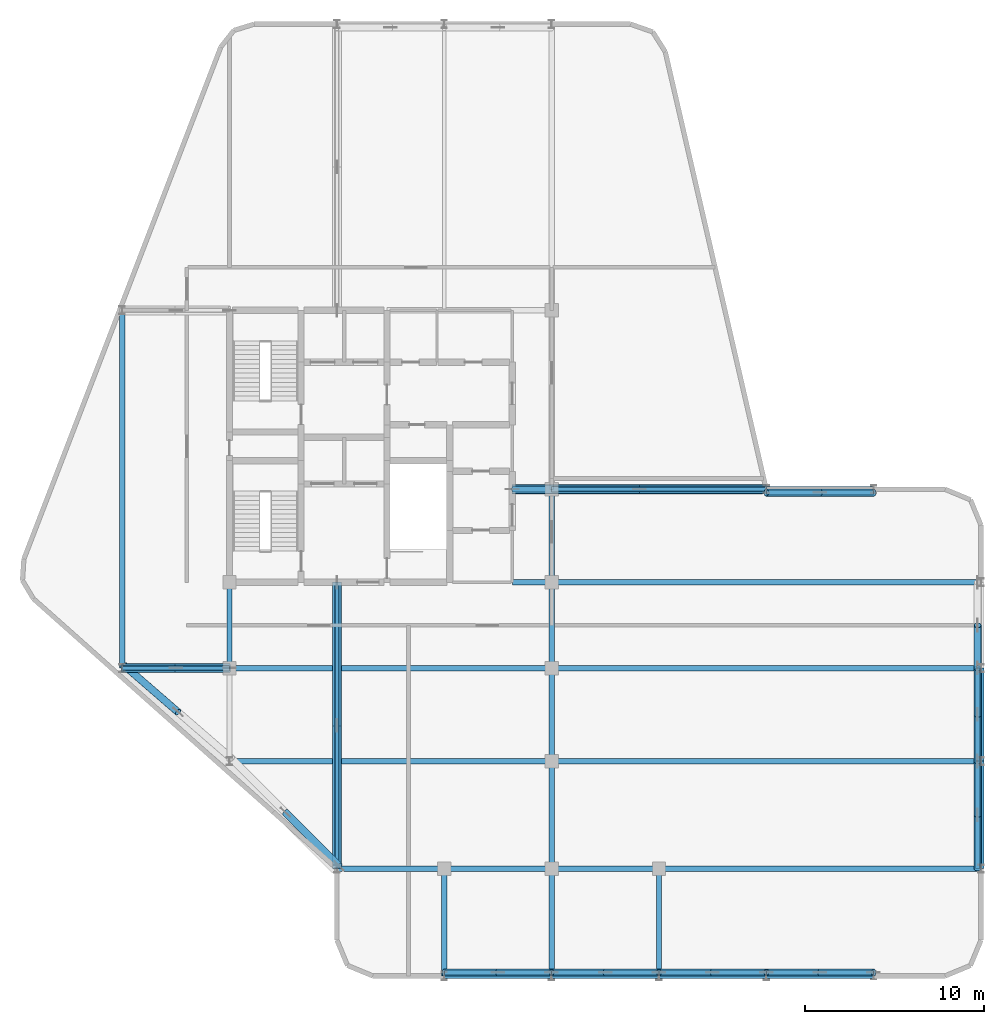
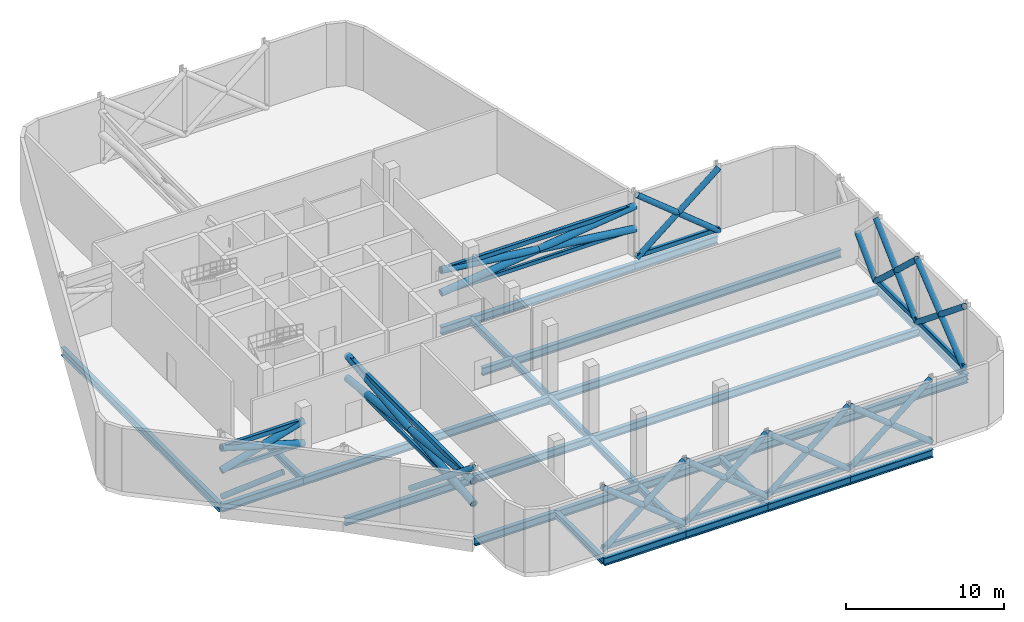
# One storey, part 4 of 12: 46 members, 29 beams.
"""IFC4 building model written with IfcOpenShell, lengths in metres."""

from ifc_helpers import new_model, si_unit, direction, frame, origin, origin_2d, place, context, subcontext, project, spatial, hollow_rectangle, hollow_circle, i_section, extrude, material, material_profile, profile_set, type_object, element, save


model = new_model("IFC4")

# Units and contexts
model_context = context("Model", 3, precision=1e-05, world=origin(), true_north=direction((0.0, 1.0)))
body_context = subcontext(model_context, "Body", "Model", "MODEL_VIEW")
ifc_project = project(units=[si_unit("LENGTHUNIT", "METRE"), si_unit("AREAUNIT", "SQUARE_METRE"), si_unit("VOLUMEUNIT", "CUBIC_METRE"), si_unit("PLANEANGLEUNIT", "RADIAN"), si_unit("MASSUNIT", "GRAM", prefix="KILO")], contexts=[model_context])

# Site, building, storey
site_placement = place(None, origin())
site = spatial("IfcSite", under=ifc_project, at=site_placement, CompositionType="ELEMENT")
building_placement = place(site_placement, origin())
building = spatial("IfcBuilding", under=site, at=building_placement, Name="Keshet Zoharim Tower", CompositionType="ELEMENT")
storey_placement = place(building_placement, frame((0.0, 0.0, 237.60009765625)))
storey = spatial("IfcBuildingStorey", under=building, at=storey_placement, Name="L59", CompositionType="ELEMENT", Elevation=237.60009765625)

# Beams
ifc_material = material(Name="Steel S355", Category="steel")
ifc_material_profile_1 = material_profile(ifc_material, i_section(OverallWidth=0.300048828125, OverallDepth=0.60009765625, WebThickness=0.015380859375, FlangeThickness=0.030029296875, FilletRadius=0.027099609375, at=origin_2d()), Name="HEB600")
ifc_profile_set_1 = profile_set([ifc_material_profile_1], Name="Steel S355")
beam_type_1 = type_object("IfcBeamType", Name="BM-CLK-HB600", PredefinedType="BEAM", material=ifc_profile_set_1)
for number, where, z_axis, x_axis, name in (
    (1, (30.800048828125, 22.699951171875, -0.72021484375), (1.0, 0.0, 0.0), (0.0, 1.0, 0.0), "L59 Core Wall Link Girder 01"),
    (2, (30.800048828125, 27.89990234375, -0.72021484375), (1.0, 0.0, 0.0), (0.0, 1.0, 0.0), "L59 Core Wall Link Girder 02"),
):
    element("IfcBeam", number, at=place(storey_placement, frame(where, z_axis=z_axis, x_axis=x_axis)), inside=storey, type_object=beam_type_1, Name=name, PredefinedType="BEAM", context=body_context, shape_type="SweptSolid", body=[
        extrude(i_section(OverallWidth=0.300048828125, OverallDepth=0.60009765625, WebThickness=0.015380859375, FlangeThickness=0.030029296875, FilletRadius=0.027099609375, at=origin_2d()), origin(), (0.0, 0.0, 1.0), 2.199951171875),
    ])
ifc_material_profile_2 = material_profile(ifc_material, i_section(OverallWidth=0.300048828125, OverallDepth=0.60009765625, WebThickness=0.015380859375, FlangeThickness=0.030029296875, FilletRadius=0.027099609375, at=origin_2d()), Name="HEB600")
ifc_profile_set_2 = profile_set([ifc_material_profile_2], Name="Steel S355")
beam_type_2 = type_object("IfcBeamType", Name="BM-LNG-HB600", PredefinedType="BEAM", material=ifc_profile_set_2)
for number, where, z_axis, x_axis, name in (
    (3, (39.0, 6.699951171875, -0.72021484375), (1.0, 0.0, 0.0), (0.0, 1.0, 0.0), "L59 Primary Girder X-008"),
    (4, (15.0, 12.699951171875, -0.72021484375), (1.0, 0.0, 0.0), (0.0, 1.0, 0.0), "L59 Primary Girder X-009"),
):
    element("IfcBeam", number, at=place(storey_placement, frame(where, z_axis=z_axis, x_axis=x_axis)), inside=storey, type_object=beam_type_2, Name=name, PredefinedType="BEAM", context=body_context, shape_type="SweptSolid", body=[
        extrude(i_section(OverallWidth=0.300048828125, OverallDepth=0.60009765625, WebThickness=0.015380859375, FlangeThickness=0.030029296875, FilletRadius=0.027099609375, at=origin_2d()), origin(), (0.0, 0.0, 1.0), 18.0),
    ])
beam_1_placement = place(storey_placement, frame((33.0, 12.699951171875, -0.72021484375), z_axis=(1.0, 0.0, 0.0), x_axis=(0.0, 1.0, 0.0)))
element("IfcBeam", 5, at=beam_1_placement, inside=storey, type_object=beam_type_2, Name="L59 Primary Girder X-010", PredefinedType="BEAM", context=body_context, shape_type="SweptSolid", body=[
    extrude(i_section(OverallWidth=0.300048828125, OverallDepth=0.60009765625, WebThickness=0.015380859375, FlangeThickness=0.030029296875, FilletRadius=0.027099609375, at=origin_2d()), origin(), (0.0, 0.0, 1.0), 24.0),
])
beam_2_placement = place(storey_placement, frame((15.0, 17.89990234375, -0.72021484375), z_axis=(1.0, 0.0, 0.0), x_axis=(0.0, 1.0, 0.0)))
element("IfcBeam", 6, at=beam_2_placement, inside=storey, type_object=beam_type_2, Name="L59 Primary Girder X-012", PredefinedType="BEAM", context=body_context, shape_type="SweptSolid", body=[
    extrude(i_section(OverallWidth=0.300048828125, OverallDepth=0.60009765625, WebThickness=0.015380859375, FlangeThickness=0.030029296875, FilletRadius=0.027099609375, at=origin_2d()), origin(), (0.0, 0.0, 1.0), 18.0),
])
for number, where, z_axis, x_axis, name in (
    (7, (33.0, 17.89990234375, -0.72021484375), (1.0, 0.0, 0.0), (0.0, 1.0, 0.0), "L59 Primary Girder X-013"),
    (8, (33.0, 22.699951171875, -0.72021484375), (1.0, 0.0, 0.0), (0.0, 1.0, 0.0), "L59 Primary Girder X-014"),
):
    element("IfcBeam", number, at=place(storey_placement, frame(where, z_axis=z_axis, x_axis=x_axis)), inside=storey, type_object=beam_type_2, Name=name, PredefinedType="BEAM", context=body_context, shape_type="SweptSolid", body=[
        extrude(i_section(OverallWidth=0.300048828125, OverallDepth=0.60009765625, WebThickness=0.015380859375, FlangeThickness=0.030029296875, FilletRadius=0.027099609375, at=origin_2d()), origin(), (0.0, 0.0, 1.0), 24.0),
    ])
beam_3_placement = place(storey_placement, frame((9.0, 17.89990234375, -0.72021484375), z_axis=(0.0, 1.0, 0.0), x_axis=(-1.0, 0.0, 0.0)))
element("IfcBeam", 9, at=beam_3_placement, inside=storey, type_object=beam_type_2, Name="L59 Primary Girder Y-001", PredefinedType="BEAM", context=body_context, shape_type="SweptSolid", body=[
    extrude(i_section(OverallWidth=0.300048828125, OverallDepth=0.60009765625, WebThickness=0.015380859375, FlangeThickness=0.030029296875, FilletRadius=0.027099609375, at=origin_2d()), origin(), (0.0, 0.0, 1.0), 20.0),
])
ifc_material_profile_3 = material_profile(ifc_material, i_section(OverallWidth=0.300048828125, OverallDepth=0.60009765625, WebThickness=0.015380859375, FlangeThickness=0.030029296875, FilletRadius=0.027099609375, at=origin_2d()), Name="HEB600")
ifc_profile_set_3 = profile_set([ifc_material_profile_3], Name="Steel S355")
beam_type_3 = type_object("IfcBeamType", Name="BM-MED-HB600", PredefinedType="BEAM", material=ifc_profile_set_3)
beam_4_placement = place(storey_placement, frame((33.0, 27.89990234375, -0.72021484375), z_axis=(1.0, 0.0, 0.0), x_axis=(0.0, 1.0, 0.0)))
element("IfcBeam", 10, at=beam_4_placement, inside=storey, type_object=beam_type_3, Name="L59 Primary Girder X-015", PredefinedType="BEAM", context=body_context, shape_type="SweptSolid", body=[
    extrude(i_section(OverallWidth=0.300048828125, OverallDepth=0.60009765625, WebThickness=0.015380859375, FlangeThickness=0.030029296875, FilletRadius=0.027099609375, at=origin_2d()), origin(), (0.0, 0.0, 1.0), 12.0),
])
ifc_material_profile_4 = material_profile(ifc_material, i_section(OverallWidth=0.300048828125, OverallDepth=0.5, WebThickness=0.014404296875, FlangeThickness=0.028076171875, FilletRadius=0.027099609375, at=origin_2d()), Name="HEB500")
ifc_profile_set_4 = profile_set([ifc_material_profile_4], Name="Steel S355")
beam_type_4 = type_object("IfcBeamType", Name="BM-WEB-HB500", PredefinedType="BEAM", material=ifc_profile_set_4)
beam_5_placement = place(storey_placement, frame((15.0, 17.89990234375, -0.670166015625), z_axis=(0.0, 1.0, 0.0), x_axis=(-1.0, 0.0, 0.0)))
element("IfcBeam", 11, at=beam_5_placement, inside=storey, type_object=beam_type_4, Name="L59 Primary Girder Y-003", PredefinedType="BEAM", context=body_context, shape_type="SweptSolid", body=[
    extrude(i_section(OverallWidth=0.300048828125, OverallDepth=0.5, WebThickness=0.014404296875, FlangeThickness=0.028076171875, FilletRadius=0.027099609375, at=origin_2d()), origin(), (0.0, 0.0, 1.0), 4.800048828125),
])
for number, where, z_axis, x_axis, name in (
    (12, (27.0, 0.699951171875, -0.670166015625), (0.0, 1.0, 0.0), (-1.0, 0.0, 0.0), "L59 Primary Girder Y-004"),
    (13, (33.0, 0.699951171875, -0.670166015625), (0.0, 1.0, 0.0), (-1.0, 0.0, 0.0), "L59 Primary Girder Y-005"),
    (14, (33.0, 6.699951171875, -0.670166015625), (0.0, 1.0, 0.0), (-1.0, 0.0, 0.0), "L59 Primary Girder Y-006"),
):
    element("IfcBeam", number, at=place(storey_placement, frame(where, z_axis=z_axis, x_axis=x_axis)), inside=storey, type_object=beam_type_4, Name=name, PredefinedType="BEAM", context=body_context, shape_type="SweptSolid", body=[
        extrude(i_section(OverallWidth=0.300048828125, OverallDepth=0.5, WebThickness=0.014404296875, FlangeThickness=0.028076171875, FilletRadius=0.027099609375, at=origin_2d()), origin(), (0.0, 0.0, 1.0), 6.0),
    ])
beam_6_placement = place(storey_placement, frame((33.0, 12.699951171875, -0.670166015625), z_axis=(0.0, 1.0, 0.0), x_axis=(-1.0, 0.0, 0.0)))
element("IfcBeam", 15, at=beam_6_placement, inside=storey, type_object=beam_type_4, Name="L59 Primary Girder Y-007", PredefinedType="BEAM", context=body_context, shape_type="SweptSolid", body=[
    extrude(i_section(OverallWidth=0.300048828125, OverallDepth=0.5, WebThickness=0.014404296875, FlangeThickness=0.028076171875, FilletRadius=0.027099609375, at=origin_2d()), origin(), (0.0, 0.0, 1.0), 5.199951171875),
])
beam_7_placement = place(storey_placement, frame((33.0, 17.89990234375, -0.670166015625), z_axis=(0.0, 1.0, 0.0), x_axis=(-1.0, 0.0, 0.0)))
element("IfcBeam", 16, at=beam_7_placement, inside=storey, type_object=beam_type_4, Name="L59 Primary Girder Y-008", PredefinedType="BEAM", context=body_context, shape_type="SweptSolid", body=[
    extrude(i_section(OverallWidth=0.300048828125, OverallDepth=0.5, WebThickness=0.014404296875, FlangeThickness=0.028076171875, FilletRadius=0.027099609375, at=origin_2d()), origin(), (0.0, 0.0, 1.0), 4.800048828125),
])
beam_8_placement = place(storey_placement, frame((33.0, 22.699951171875, -0.670166015625), z_axis=(0.0, 1.0, 0.0), x_axis=(-1.0, 0.0, 0.0)))
element("IfcBeam", 17, at=beam_8_placement, inside=storey, type_object=beam_type_4, Name="L59 Primary Girder Y-009", PredefinedType="BEAM", context=body_context, shape_type="SweptSolid", body=[
    extrude(i_section(OverallWidth=0.300048828125, OverallDepth=0.5, WebThickness=0.014404296875, FlangeThickness=0.028076171875, FilletRadius=0.027099609375, at=origin_2d()), origin(), (0.0, 0.0, 1.0), 5.199951171875),
])
for number, where, z_axis, x_axis, name in (
    (18, (39.0, 0.699951171875, -0.670166015625), (0.0, 1.0, 0.0), (-1.0, 0.0, 0.0), "L59 Primary Girder Y-012"),
    (19, (57.0, 6.699951171875, -0.670166015625), (0.0, 1.0, 0.0), (-1.0, 0.0, 0.0), "L59 Primary Girder Y-013"),
):
    element("IfcBeam", number, at=place(storey_placement, frame(where, z_axis=z_axis, x_axis=x_axis)), inside=storey, type_object=beam_type_4, Name=name, PredefinedType="BEAM", context=body_context, shape_type="SweptSolid", body=[
        extrude(i_section(OverallWidth=0.300048828125, OverallDepth=0.5, WebThickness=0.014404296875, FlangeThickness=0.028076171875, FilletRadius=0.027099609375, at=origin_2d()), origin(), (0.0, 0.0, 1.0), 6.0),
    ])
beam_9_placement = place(storey_placement, frame((57.0, 12.699951171875, -0.670166015625), z_axis=(0.0, 1.0, 0.0), x_axis=(-1.0, 0.0, 0.0)))
element("IfcBeam", 20, at=beam_9_placement, inside=storey, type_object=beam_type_4, Name="L59 Primary Girder Y-014", PredefinedType="BEAM", context=body_context, shape_type="SweptSolid", body=[
    extrude(i_section(OverallWidth=0.300048828125, OverallDepth=0.5, WebThickness=0.014404296875, FlangeThickness=0.028076171875, FilletRadius=0.027099609375, at=origin_2d()), origin(), (0.0, 0.0, 1.0), 5.199951171875),
])
ifc_material_profile_5 = material_profile(ifc_material, i_section(OverallWidth=0.300048828125, OverallDepth=0.60009765625, WebThickness=0.015380859375, FlangeThickness=0.030029296875, FilletRadius=0.027099609375, at=origin_2d()), Name="HEB600")
ifc_profile_set_5 = profile_set([ifc_material_profile_5], Name="Steel S355")
beam_type_5 = type_object("IfcBeamType", Name="BM-WEB-HB600", PredefinedType="BEAM", material=ifc_profile_set_5)
for number, where, z_axis, x_axis, name in (
    (21, (27.0, 0.699951171875, -0.72021484375), (1.0, 0.0, 0.0), (0.0, 1.0, 0.0), "L59 Primary Girder X-001"),
    (22, (33.0, 0.699951171875, -0.72021484375), (1.0, 0.0, 0.0), (0.0, 1.0, 0.0), "L59 Primary Girder X-002"),
    (23, (39.0, 0.699951171875, -0.72021484375), (1.0, 0.0, 0.0), (0.0, 1.0, 0.0), "L59 Primary Girder X-003"),
    (24, (45.0, 0.699951171875, -0.72021484375), (1.0, 0.0, 0.0), (0.0, 1.0, 0.0), "L59 Primary Girder X-004"),
    (25, (21.0, 6.699951171875, -0.72021484375), (1.0, 0.0, 0.0), (0.0, 1.0, 0.0), "L59 Primary Girder X-005"),
    (26, (27.0, 6.699951171875, -0.72021484375), (1.0, 0.0, 0.0), (0.0, 1.0, 0.0), "L59 Primary Girder X-006"),
    (27, (33.0, 6.699951171875, -0.72021484375), (1.0, 0.0, 0.0), (0.0, 1.0, 0.0), "L59 Primary Girder X-007"),
    (28, (9.0, 17.89990234375, -0.72021484375), (1.0, 0.0, 0.0), (0.0, 1.0, 0.0), "L59 Primary Girder X-011"),
    (29, (45.0, 27.89990234375, -0.72021484375), (1.0, 0.0, 0.0), (0.0, 1.0, 0.0), "L59 Primary Girder X-016"),
):
    element("IfcBeam", number, at=place(storey_placement, frame(where, z_axis=z_axis, x_axis=x_axis)), inside=storey, type_object=beam_type_5, Name=name, PredefinedType="BEAM", context=body_context, shape_type="SweptSolid", body=[
        extrude(i_section(OverallWidth=0.300048828125, OverallDepth=0.60009765625, WebThickness=0.015380859375, FlangeThickness=0.030029296875, FilletRadius=0.027099609375, at=origin_2d()), origin(), (0.0, 0.0, 1.0), 6.0),
    ])

# Members
ifc_material_profile_6 = material_profile(ifc_material, hollow_circle(Radius=0.203125, WallThickness=0.01611328125, at=origin_2d()), Name="CHS406x16")
ifc_profile_set_6 = profile_set([ifc_material_profile_6], Name="Steel S355")
member_type_1 = type_object("IfcMemberType", Name="MB-BELT-C406", PredefinedType="BRACE", material=ifc_profile_set_6)
member_1_placement = place(storey_placement, frame((56.81005859375, 17.89990234375, 0.0), z_axis=(0.0, 0.701269287632, 0.712896476513), x_axis=(-1.0, 0.0, 0.0)))
element("IfcMember", 30, at=member_1_placement, inside=storey, type_object=member_type_1, Name="L59 Perimeter Belt Truss Split Diagonal B1-01", PredefinedType="BRACE", context=body_context, shape_type="SweptSolid", body=[
    extrude(hollow_circle(Radius=0.203125, WallThickness=0.01611328125, at=origin_2d()), origin(), (0.0, 0.0, 1.0), 3.422607421875),
])
member_2_placement = place(storey_placement, frame((56.81005859375, 17.89990234375, 0.0), z_axis=(0.0, -0.729192260364, 0.684308883053), x_axis=(1.0, 0.0, 0.0)))
element("IfcMember", 31, at=member_2_placement, inside=storey, type_object=member_type_1, Name="L59 Perimeter Belt Truss Continuous Diagonal A02", PredefinedType="BRACE", context=body_context, shape_type="SweptSolid", body=[
    extrude(hollow_circle(Radius=0.203125, WallThickness=0.01611328125, at=origin_2d()), origin(), (0.0, 0.0, 1.0), 7.131103515625),
])
member_3_placement = place(storey_placement, frame((56.81005859375, 12.699951171875, 0.0), z_axis=(0.0, 0.729208291745, 0.684291799784), x_axis=(-1.0, 0.0, 0.0)))
element("IfcMember", 32, at=member_3_placement, inside=storey, type_object=member_type_1, Name="L59 Perimeter Belt Truss Split Diagonal B1-02", PredefinedType="BRACE", context=body_context, shape_type="SweptSolid", body=[
    extrude(hollow_circle(Radius=0.203125, WallThickness=0.01611328125, at=origin_2d()), origin(), (0.0, 0.0, 1.0), 3.565673828125),
])
member_4_placement = place(storey_placement, frame((56.81005859375, 15.300048828125, 2.43994140625), z_axis=(0.0, 0.729176227782, 0.6843259668), x_axis=(-1.0, 0.0, 0.0)))
element("IfcMember", 33, at=member_4_placement, inside=storey, type_object=member_type_1, Name="L59 Perimeter Belt Truss Split Diagonal B2-02", PredefinedType="BRACE", context=body_context, shape_type="SweptSolid", body=[
    extrude(hollow_circle(Radius=0.203125, WallThickness=0.01611328125, at=origin_2d()), origin(), (0.0, 0.0, 1.0), 3.5654296875),
])
member_5_placement = place(storey_placement, frame((56.81005859375, 12.699951171875, 0.0), z_axis=(0.0, -0.775804916015, 0.630972845919), x_axis=(1.0, 0.0, 0.0)))
element("IfcMember", 34, at=member_5_placement, inside=storey, type_object=member_type_1, Name="L59 Perimeter Belt Truss Continuous Diagonal A03", PredefinedType="BRACE", context=body_context, shape_type="SweptSolid", body=[
    extrude(hollow_circle(Radius=0.203125, WallThickness=0.01611328125, at=origin_2d()), origin(), (0.0, 0.0, 1.0), 7.73388671875),
])
for number, where, z_axis, x_axis, name in (
    (35, (56.81005859375, 6.699951171875, 0.0), (0.0, 0.775804916015, 0.630972845919), (-1.0, 0.0, 0.0), "L59 Perimeter Belt Truss Split Diagonal B1-03"),
    (36, (56.81005859375, 9.699951171875, 2.43994140625), (0.0, 0.775804916015, 0.630972845919), (-1.0, 0.0, 0.0), "L59 Perimeter Belt Truss Split Diagonal B2-03"),
):
    element("IfcMember", number, at=place(storey_placement, frame(where, z_axis=z_axis, x_axis=x_axis)), inside=storey, type_object=member_type_1, Name=name, PredefinedType="BRACE", context=body_context, shape_type="SweptSolid", body=[
        extrude(hollow_circle(Radius=0.203125, WallThickness=0.01611328125, at=origin_2d()), origin(), (0.0, 0.0, 1.0), 3.866943359375),
    ])
member_6_placement = place(storey_placement, frame((51.0, 0.889892578125, 0.0), z_axis=(-0.775804916015, 0.0, 0.630972845919), x_axis=(0.0, -1.0, 0.0)))
element("IfcMember", 37, at=member_6_placement, inside=storey, type_object=member_type_1, Name="L59 Perimeter Belt Truss Continuous Diagonal A04", PredefinedType="BRACE", context=body_context, shape_type="SweptSolid", body=[
    extrude(hollow_circle(Radius=0.203125, WallThickness=0.01611328125, at=origin_2d()), origin(), (0.0, 0.0, 1.0), 7.73388671875),
])
for number, where, z_axis, x_axis, name in (
    (38, (45.0, 0.889892578125, 0.0), (0.775804916015, 0.0, 0.630972845919), (0.0, 1.0, 0.0), "L59 Perimeter Belt Truss Split Diagonal B1-04"),
    (39, (48.0, 0.889892578125, 2.43994140625), (0.775804916015, 0.0, 0.630972845919), (0.0, 1.0, 0.0), "L59 Perimeter Belt Truss Split Diagonal B2-04"),
):
    element("IfcMember", number, at=place(storey_placement, frame(where, z_axis=z_axis, x_axis=x_axis)), inside=storey, type_object=member_type_1, Name=name, PredefinedType="BRACE", context=body_context, shape_type="SweptSolid", body=[
        extrude(hollow_circle(Radius=0.203125, WallThickness=0.01611328125, at=origin_2d()), origin(), (0.0, 0.0, 1.0), 3.866943359375),
    ])
member_7_placement = place(storey_placement, frame((45.0, 0.889892578125, 0.0), z_axis=(-0.775804916015, 0.0, 0.630972845919), x_axis=(0.0, -1.0, 0.0)))
element("IfcMember", 40, at=member_7_placement, inside=storey, type_object=member_type_1, Name="L59 Perimeter Belt Truss Continuous Diagonal A05", PredefinedType="BRACE", context=body_context, shape_type="SweptSolid", body=[
    extrude(hollow_circle(Radius=0.203125, WallThickness=0.01611328125, at=origin_2d()), origin(), (0.0, 0.0, 1.0), 7.73388671875),
])
for number, where, z_axis, x_axis, name in (
    (41, (39.0, 0.889892578125, 0.0), (0.775804916015, 0.0, 0.630972845919), (0.0, 1.0, 0.0), "L59 Perimeter Belt Truss Split Diagonal B1-05"),
    (42, (42.0, 0.889892578125, 2.43994140625), (0.775804916015, 0.0, 0.630972845919), (0.0, 1.0, 0.0), "L59 Perimeter Belt Truss Split Diagonal B2-05"),
):
    element("IfcMember", number, at=place(storey_placement, frame(where, z_axis=z_axis, x_axis=x_axis)), inside=storey, type_object=member_type_1, Name=name, PredefinedType="BRACE", context=body_context, shape_type="SweptSolid", body=[
        extrude(hollow_circle(Radius=0.203125, WallThickness=0.01611328125, at=origin_2d()), origin(), (0.0, 0.0, 1.0), 3.866943359375),
    ])
member_8_placement = place(storey_placement, frame((39.0, 0.889892578125, 0.0), z_axis=(-0.775804916015, 0.0, 0.630972845919), x_axis=(0.0, -1.0, 0.0)))
element("IfcMember", 43, at=member_8_placement, inside=storey, type_object=member_type_1, Name="L59 Perimeter Belt Truss Continuous Diagonal A06", PredefinedType="BRACE", context=body_context, shape_type="SweptSolid", body=[
    extrude(hollow_circle(Radius=0.203125, WallThickness=0.01611328125, at=origin_2d()), origin(), (0.0, 0.0, 1.0), 7.73388671875),
])
for number, where, z_axis, x_axis, name in (
    (44, (33.0, 0.889892578125, 0.0), (0.775804916015, 0.0, 0.630972845919), (0.0, 1.0, 0.0), "L59 Perimeter Belt Truss Split Diagonal B1-06"),
    (45, (36.0, 0.889892578125, 2.43994140625), (0.775804916015, 0.0, 0.630972845919), (0.0, 1.0, 0.0), "L59 Perimeter Belt Truss Split Diagonal B2-06"),
):
    element("IfcMember", number, at=place(storey_placement, frame(where, z_axis=z_axis, x_axis=x_axis)), inside=storey, type_object=member_type_1, Name=name, PredefinedType="BRACE", context=body_context, shape_type="SweptSolid", body=[
        extrude(hollow_circle(Radius=0.203125, WallThickness=0.01611328125, at=origin_2d()), origin(), (0.0, 0.0, 1.0), 3.866943359375),
    ])
member_9_placement = place(storey_placement, frame((33.0, 0.889892578125, 0.0), z_axis=(-0.775804916015, 0.0, 0.630972845919), x_axis=(0.0, -1.0, 0.0)))
element("IfcMember", 46, at=member_9_placement, inside=storey, type_object=member_type_1, Name="L59 Perimeter Belt Truss Continuous Diagonal A07", PredefinedType="BRACE", context=body_context, shape_type="SweptSolid", body=[
    extrude(hollow_circle(Radius=0.203125, WallThickness=0.01611328125, at=origin_2d()), origin(), (0.0, 0.0, 1.0), 7.73388671875),
])
for number, where, z_axis, x_axis, name in (
    (47, (27.0, 0.889892578125, 0.0), (0.775804916015, 0.0, 0.630972845919), (0.0, 1.0, 0.0), "L59 Perimeter Belt Truss Split Diagonal B1-07"),
    (48, (30.0, 0.889892578125, 2.43994140625), (0.775804916015, 0.0, 0.630972845919), (0.0, 1.0, 0.0), "L59 Perimeter Belt Truss Split Diagonal B2-07"),
):
    element("IfcMember", number, at=place(storey_placement, frame(where, z_axis=z_axis, x_axis=x_axis)), inside=storey, type_object=member_type_1, Name=name, PredefinedType="BRACE", context=body_context, shape_type="SweptSolid", body=[
        extrude(hollow_circle(Radius=0.203125, WallThickness=0.01611328125, at=origin_2d()), origin(), (0.0, 0.0, 1.0), 3.866943359375),
    ])
member_10_placement = place(storey_placement, frame((18.1259765625, 9.842041015625, 2.43994140625), z_axis=(0.612968913959, -0.612968913959, 0.498536077971), x_axis=(0.707106781187, 0.707106781187, 0.0)))
element("IfcMember", 49, at=member_10_placement, inside=storey, type_object=member_type_1, Name="L59 Perimeter Belt Truss Split Diagonal B2-08", PredefinedType="BRACE", context=body_context, shape_type="SweptSolid", body=[
    extrude(hollow_circle(Radius=0.203125, WallThickness=0.01611328125, at=origin_2d()), origin(), (0.0, 0.0, 1.0), 4.894287109375),
])
member_11_placement = place(storey_placement, frame((9.1259765625, 18.0419921875, 0.0), z_axis=(0.64380318245, -0.557983715258, 0.523614014112), x_axis=(0.654944585876, 0.755676908098, 0.0)))
element("IfcMember", 50, at=member_11_placement, inside=storey, type_object=member_type_1, Name="L59 Perimeter Belt Truss Split Diagonal B1-09", PredefinedType="BRACE", context=body_context, shape_type="SweptSolid", body=[
    extrude(hollow_circle(Radius=0.203125, WallThickness=0.01611328125, at=origin_2d()), origin(), (0.0, 0.0, 1.0), 4.659912109375),
])
member_12_placement = place(storey_placement, frame((45.0, 27.7099609375, 0.0), z_axis=(0.775804916015, 0.0, 0.630972845919), x_axis=(0.0, 1.0, 0.0)))
element("IfcMember", 51, at=member_12_placement, inside=storey, type_object=member_type_1, Name="L59 Perimeter Belt Truss Continuous Diagonal A12", PredefinedType="BRACE", context=body_context, shape_type="SweptSolid", body=[
    extrude(hollow_circle(Radius=0.203125, WallThickness=0.01611328125, at=origin_2d()), origin(), (0.0, 0.0, 1.0), 7.73388671875),
])
for number, where, z_axis, x_axis, name in (
    (52, (51.0, 27.7099609375, 0.0), (-0.775804916015, 0.0, 0.630972845919), (0.0, -1.0, 0.0), "L59 Perimeter Belt Truss Split Diagonal B1-12"),
    (53, (48.0, 27.7099609375, 2.43994140625), (-0.775804916015, 0.0, 0.630972845919), (0.0, -1.0, 0.0), "L59 Perimeter Belt Truss Split Diagonal B2-12"),
):
    element("IfcMember", number, at=place(storey_placement, frame(where, z_axis=z_axis, x_axis=x_axis)), inside=storey, type_object=member_type_1, Name=name, PredefinedType="BRACE", context=body_context, shape_type="SweptSolid", body=[
        extrude(hollow_circle(Radius=0.203125, WallThickness=0.01611328125, at=origin_2d()), origin(), (0.0, 0.0, 1.0), 3.866943359375),
    ])
ifc_material_profile_7 = material_profile(ifc_material, hollow_rectangle(XDim=0.25, YDim=0.35009765625, WallThickness=0.01416015625, InnerFilletRadius=0.013916015625, OuterFilletRadius=0.02099609375, at=origin_2d()), Name="RHS350x250x14.2")
ifc_profile_set_7 = profile_set([ifc_material_profile_7], Name="Steel S355")
member_type_2 = type_object("IfcMemberType", Name="MB-CHD-R350", PredefinedType="CHORD", material=ifc_profile_set_7)
member_13_placement = place(storey_placement, frame((56.81005859375, 17.89990234375, 0.199951171875), z_axis=(0.0, -1.0, 0.0), x_axis=(1.0, 0.0, 0.0)))
element("IfcMember", 54, at=member_13_placement, inside=storey, type_object=member_type_2, Name="L59 Perimeter Belt Truss Chord B02", PredefinedType="CHORD", context=body_context, shape_type="SweptSolid", body=[
    extrude(hollow_rectangle(XDim=0.25, YDim=0.35009765625, WallThickness=0.01416015625, InnerFilletRadius=0.013916015625, OuterFilletRadius=0.02099609375, at=origin_2d()), origin(), (0.0, 0.0, 1.0), 5.199951171875),
])
for number, where, z_axis, x_axis, name in (
    (55, (56.81005859375, 12.699951171875, 0.199951171875), (0.0, -1.0, 0.0), (1.0, 0.0, 0.0), "L59 Perimeter Belt Truss Chord B03"),
    (56, (51.0, 0.889892578125, 0.199951171875), (-1.0, 0.0, 0.0), (0.0, -1.0, 0.0), "L59 Perimeter Belt Truss Chord B04"),
    (57, (45.0, 0.889892578125, 0.199951171875), (-1.0, 0.0, 0.0), (0.0, -1.0, 0.0), "L59 Perimeter Belt Truss Chord B05"),
    (58, (39.0, 0.889892578125, 0.199951171875), (-1.0, 0.0, 0.0), (0.0, -1.0, 0.0), "L59 Perimeter Belt Truss Chord B06"),
    (59, (33.0, 0.889892578125, 0.199951171875), (-1.0, 0.0, 0.0), (0.0, -1.0, 0.0), "L59 Perimeter Belt Truss Chord B07"),
    (60, (45.0, 27.7099609375, 0.199951171875), (1.0, 0.0, 0.0), (0.0, 1.0, 0.0), "L59 Perimeter Belt Truss Chord B12"),
):
    element("IfcMember", number, at=place(storey_placement, frame(where, z_axis=z_axis, x_axis=x_axis)), inside=storey, type_object=member_type_2, Name=name, PredefinedType="CHORD", context=body_context, shape_type="SweptSolid", body=[
        extrude(hollow_rectangle(XDim=0.25, YDim=0.35009765625, WallThickness=0.01416015625, InnerFilletRadius=0.013916015625, OuterFilletRadius=0.02099609375, at=origin_2d()), origin(), (0.0, 0.0, 1.0), 6.0),
    ])
ifc_material_profile_8 = material_profile(ifc_material, hollow_circle(Radius=0.25390625, WallThickness=0.02001953125, at=origin_2d()), Name="CHS508x20")
ifc_profile_set_8 = profile_set([ifc_material_profile_8], Name="Steel S355")
member_type_3 = type_object("IfcMemberType", Name="MB-OUTR-C508", PredefinedType="BRACE", material=ifc_profile_set_8)
member_14_placement = place(storey_placement, frame((15.0, 17.89990234375, 2.14990234375), z_axis=(-0.95913524504, 0.0, 0.282948019472), x_axis=(0.0, -1.0, 0.0)))
element("IfcMember", 61, at=member_14_placement, inside=storey, type_object=member_type_3, Name="L59 Core Outrigger Continuous Brace 1-W1", PredefinedType="BRACE", context=body_context, shape_type="SweptSolid", body=[
    extrude(hollow_circle(Radius=0.25390625, WallThickness=0.02001953125, at=origin_2d()), origin(), (0.0, 0.0, 1.0), 6.255615234375),
])
for number, where, z_axis, x_axis, name in (
    (62, (9.0, 17.89990234375, 2.14990234375), (0.95913524504, 0.0, 0.282948019472), (0.0, 1.0, 0.0), "L59 Core Outrigger Split Brace 2A-W1"),
    (63, (12.0, 17.89990234375, 3.034912109375), (0.95913524504, 0.0, 0.282948019472), (0.0, 1.0, 0.0), "L59 Core Outrigger Split Brace 2B-W1"),
):
    element("IfcMember", number, at=place(storey_placement, frame(where, z_axis=z_axis, x_axis=x_axis)), inside=storey, type_object=member_type_3, Name=name, PredefinedType="BRACE", context=body_context, shape_type="SweptSolid", body=[
        extrude(hollow_circle(Radius=0.25390625, WallThickness=0.02001953125, at=origin_2d()), origin(), (0.0, 0.0, 1.0), 3.1279296875),
    ])
member_15_placement = place(storey_placement, frame((30.800048828125, 27.89990234375, 2.14990234375), z_axis=(0.992320601493, 0.0, 0.123692456731), x_axis=(0.0, 1.0, 0.0)))
element("IfcMember", 64, at=member_15_placement, inside=storey, type_object=member_type_3, Name="L59 Core Outrigger Continuous Brace 1-E1", PredefinedType="BRACE", context=body_context, shape_type="SweptSolid", body=[
    extrude(hollow_circle(Radius=0.25390625, WallThickness=0.02001953125, at=origin_2d()), origin(), (0.0, 0.0, 1.0), 14.309814453125),
])
member_16_placement = place(storey_placement, frame((45.0, 27.89990234375, 2.14990234375), z_axis=(-0.992320862517, 0.0, 0.123690362651), x_axis=(0.0, -1.0, 0.0)))
element("IfcMember", 65, at=member_16_placement, inside=storey, type_object=member_type_3, Name="L59 Core Outrigger Split Brace 2A-E1", PredefinedType="BRACE", context=body_context, shape_type="SweptSolid", body=[
    extrude(hollow_circle(Radius=0.25390625, WallThickness=0.02001953125, at=origin_2d()), origin(), (0.0, 0.0, 1.0), 7.155029296875),
])
member_17_placement = place(storey_placement, frame((37.89990234375, 27.89990234375, 3.034912109375), z_axis=(-0.992320340456, 0.0, 0.12369455088), x_axis=(0.0, -1.0, 0.0)))
element("IfcMember", 66, at=member_17_placement, inside=storey, type_object=member_type_3, Name="L59 Core Outrigger Split Brace 2B-E1", PredefinedType="BRACE", context=body_context, shape_type="SweptSolid", body=[
    extrude(hollow_circle(Radius=0.25390625, WallThickness=0.02001953125, at=origin_2d()), origin(), (0.0, 0.0, 1.0), 7.15478515625),
])
member_18_placement = place(storey_placement, frame((21.0, 22.699951171875, 2.14990234375), z_axis=(0.0, -0.993936517636, 0.109955440565), x_axis=(1.0, 0.0, 0.0)))
element("IfcMember", 67, at=member_18_placement, inside=storey, type_object=member_type_3, Name="L59 Core Outrigger Continuous Brace 1-S1", PredefinedType="BRACE", context=body_context, shape_type="SweptSolid", body=[
    extrude(hollow_circle(Radius=0.25390625, WallThickness=0.02001953125, at=origin_2d()), origin(), (0.0, 0.0, 1.0), 16.09765625),
])
for number, where, z_axis, x_axis, name in (
    (68, (21.0, 6.699951171875, 2.14990234375), (0.0, 0.993936517636, 0.109955440565), (-1.0, 0.0, 0.0), "L59 Core Outrigger Split Brace 2A-S1"),
    (69, (21.0, 14.699951171875, 3.034912109375), (0.0, 0.993936517636, 0.109955440565), (-1.0, 0.0, 0.0), "L59 Core Outrigger Split Brace 2B-S1"),
):
    element("IfcMember", number, at=place(storey_placement, frame(where, z_axis=z_axis, x_axis=x_axis)), inside=storey, type_object=member_type_3, Name=name, PredefinedType="BRACE", context=body_context, shape_type="SweptSolid", body=[
        extrude(hollow_circle(Radius=0.25390625, WallThickness=0.02001953125, at=origin_2d()), origin(), (0.0, 0.0, 1.0), 8.048828125),
    ])
ifc_material_profile_9 = material_profile(ifc_material, hollow_rectangle(XDim=0.199951171875, YDim=0.300048828125, WallThickness=0.012451171875, InnerFilletRadius=0.011962890625, OuterFilletRadius=0.01904296875, at=origin_2d()), Name="RHS300x200x12.5")
ifc_profile_set_9 = profile_set([ifc_material_profile_9], Name="Steel S355")
member_type_4 = type_object("IfcMemberType", Name="MB-OUTR-S300", PredefinedType="STRUT", material=ifc_profile_set_9)
member_19_placement = place(storey_placement, frame((15.0, 17.89990234375, 2.14990234375), z_axis=(-1.0, 0.0, 0.0), x_axis=(0.0, -1.0, 0.0)))
element("IfcMember", 70, at=member_19_placement, inside=storey, type_object=member_type_4, Name="L59 Core Outrigger Bottom Strut W1", PredefinedType="STRUT", context=body_context, shape_type="SweptSolid", body=[
    extrude(hollow_rectangle(XDim=0.199951171875, YDim=0.300048828125, WallThickness=0.012451171875, InnerFilletRadius=0.011962890625, OuterFilletRadius=0.01904296875, at=origin_2d()), origin(), (0.0, 0.0, 1.0), 6.0),
])
member_20_placement = place(storey_placement, frame((30.800048828125, 27.89990234375, 2.14990234375), z_axis=(1.0, 0.0, 0.0), x_axis=(0.0, 1.0, 0.0)))
element("IfcMember", 71, at=member_20_placement, inside=storey, type_object=member_type_4, Name="L59 Core Outrigger Bottom Strut E1", PredefinedType="STRUT", context=body_context, shape_type="SweptSolid", body=[
    extrude(hollow_rectangle(XDim=0.199951171875, YDim=0.300048828125, WallThickness=0.012451171875, InnerFilletRadius=0.011962890625, OuterFilletRadius=0.01904296875, at=origin_2d()), origin(), (0.0, 0.0, 1.0), 14.199951171875),
])
member_21_placement = place(storey_placement, frame((21.0, 22.699951171875, 2.14990234375), z_axis=(0.0, -1.0, 0.0), x_axis=(1.0, 0.0, 0.0)))
element("IfcMember", 72, at=member_21_placement, inside=storey, type_object=member_type_4, Name="L59 Core Outrigger Bottom Strut S1", PredefinedType="STRUT", context=body_context, shape_type="SweptSolid", body=[
    extrude(hollow_rectangle(XDim=0.199951171875, YDim=0.300048828125, WallThickness=0.012451171875, InnerFilletRadius=0.011962890625, OuterFilletRadius=0.01904296875, at=origin_2d()), origin(), (0.0, 0.0, 1.0), 16.0),
])
ifc_material_profile_10 = material_profile(ifc_material, hollow_rectangle(XDim=0.25, YDim=0.35009765625, WallThickness=0.01416015625, InnerFilletRadius=0.013916015625, OuterFilletRadius=0.02099609375, at=origin_2d()), Name="RHS350x250x14.2")
ifc_profile_set_10 = profile_set([ifc_material_profile_10], Name="Steel S355")
member_type_5 = type_object("IfcMemberType", Name="MB-OUTR-T350", PredefinedType="CHORD", material=ifc_profile_set_10)
member_22_placement = place(storey_placement, frame((15.0, 17.89990234375, 3.919921875), z_axis=(-1.0, 0.0, 0.0), x_axis=(0.0, -1.0, 0.0)))
element("IfcMember", 73, at=member_22_placement, inside=storey, type_object=member_type_5, Name="L59 Core Outrigger Top Chord W1", PredefinedType="CHORD", context=body_context, shape_type="SweptSolid", body=[
    extrude(hollow_rectangle(XDim=0.25, YDim=0.35009765625, WallThickness=0.01416015625, InnerFilletRadius=0.013916015625, OuterFilletRadius=0.02099609375, at=origin_2d()), origin(), (0.0, 0.0, 1.0), 6.0),
])
member_23_placement = place(storey_placement, frame((30.800048828125, 27.89990234375, 3.919921875), z_axis=(1.0, 0.0, 0.0), x_axis=(0.0, 1.0, 0.0)))
element("IfcMember", 74, at=member_23_placement, inside=storey, type_object=member_type_5, Name="L59 Core Outrigger Top Chord E1", PredefinedType="CHORD", context=body_context, shape_type="SweptSolid", body=[
    extrude(hollow_rectangle(XDim=0.25, YDim=0.35009765625, WallThickness=0.01416015625, InnerFilletRadius=0.013916015625, OuterFilletRadius=0.02099609375, at=origin_2d()), origin(), (0.0, 0.0, 1.0), 14.199951171875),
])
member_24_placement = place(storey_placement, frame((21.0, 22.699951171875, 3.919921875), z_axis=(0.0, -1.0, 0.0), x_axis=(1.0, 0.0, 0.0)))
element("IfcMember", 75, at=member_24_placement, inside=storey, type_object=member_type_5, Name="L59 Core Outrigger Top Chord S1", PredefinedType="CHORD", context=body_context, shape_type="SweptSolid", body=[
    extrude(hollow_rectangle(XDim=0.25, YDim=0.35009765625, WallThickness=0.01416015625, InnerFilletRadius=0.013916015625, OuterFilletRadius=0.02099609375, at=origin_2d()), origin(), (0.0, 0.0, 1.0), 16.0),
])

save(model, "model.ifc")
